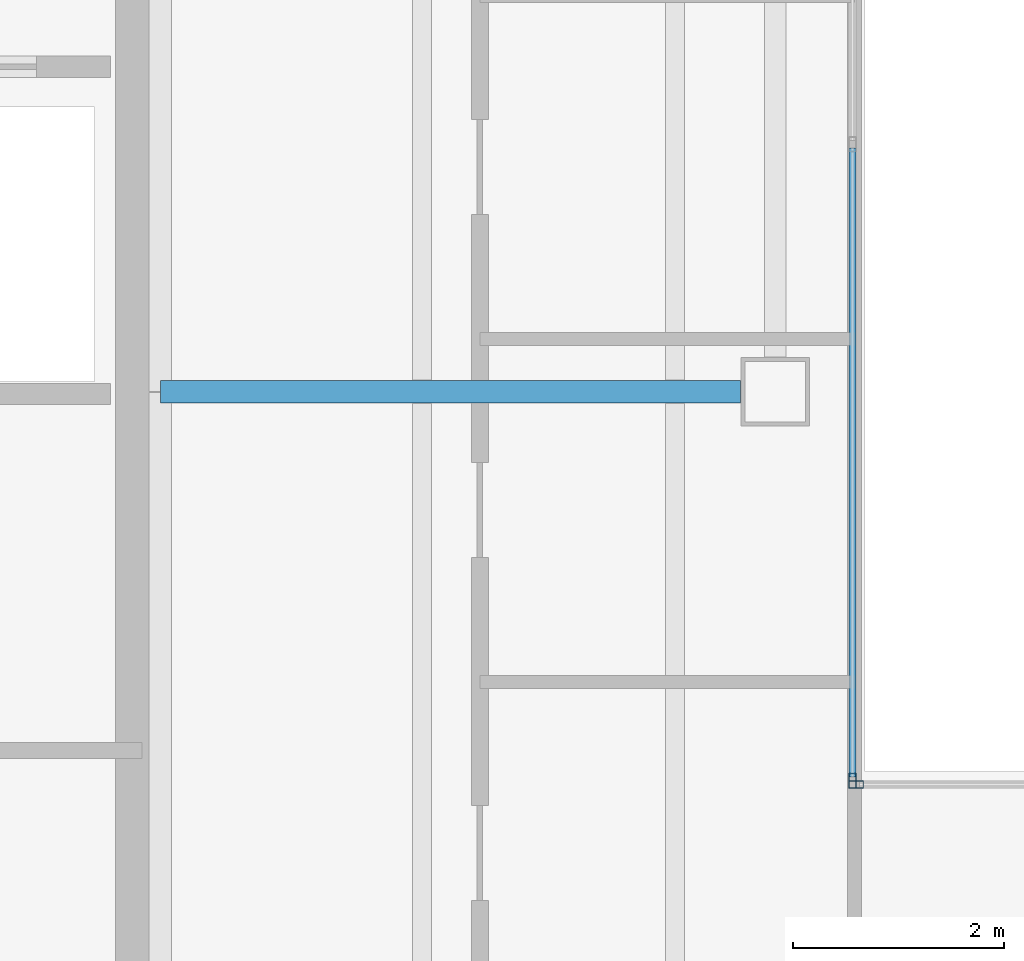
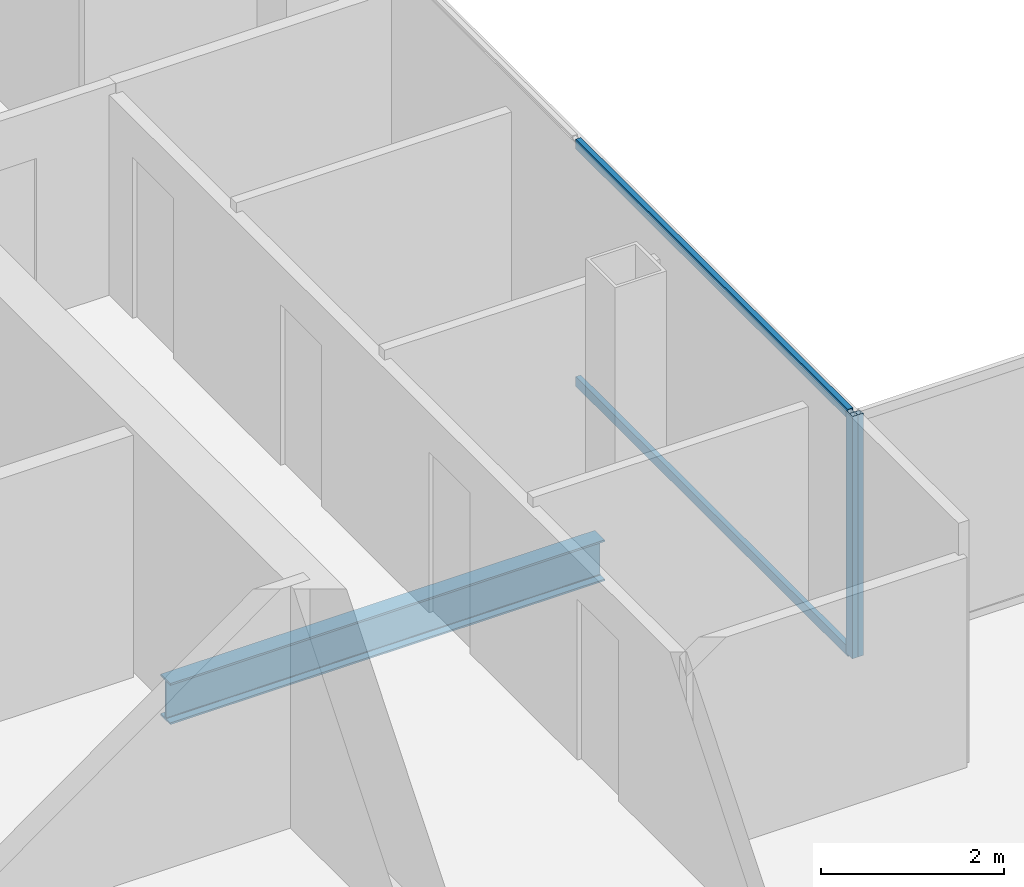
# One storey, part 8 of 23: 4 members, 1 beam, 2 elements without a shape of their own.
"""IFC4 building model written with IfcOpenShell, lengths in metres."""

from ifc_helpers import new_model, si_unit, direction, frame, origin, origin_2d, place, context, subcontext, project, spatial, hollow_rectangle, i_section, extrude, material, material_profile, profile_set, type_object, element, aggregate, save


model = new_model("IFC4")

# Units and contexts
model_context = context("Model", 3, precision=1e-05, world=origin(), true_north=direction((0.0, 1.0)))
body_context = subcontext(model_context, "Body", "Model", "MODEL_VIEW")
ifc_project = project(units=[si_unit("LENGTHUNIT", "METRE"), si_unit("AREAUNIT", "SQUARE_METRE"), si_unit("VOLUMEUNIT", "CUBIC_METRE"), si_unit("PLANEANGLEUNIT", "RADIAN"), si_unit("MASSUNIT", "GRAM", prefix="KILO")], contexts=[model_context])

# Site, building, storey
site_placement = place(None, origin())
site = spatial("IfcSite", under=ifc_project, at=site_placement, CompositionType="ELEMENT")
building_placement = place(site_placement, origin())
building = spatial("IfcBuilding", under=site, at=building_placement, Name="Cobrela Telecom Tower", CompositionType="ELEMENT")
storey_placement = place(building_placement, frame((0.0, 0.0, 283.14990234375)))
storey = spatial("IfcBuildingStorey", under=building, at=storey_placement, Name="L74", CompositionType="ELEMENT", Elevation=283.14990234375)

# Beam
ifc_material_1 = material(Name="Steel ASTM A992 Grade 50", Category="steel")
ifc_material_profile_1 = material_profile(ifc_material_1, i_section(OverallWidth=0.212890625, OverallDepth=0.549072265625, WebThickness=0.0146484375, FlangeThickness=0.023681640625, FilletRadius=0.013916015625, at=origin_2d()), Name="W21X93")
ifc_profile_set_1 = profile_set([ifc_material_profile_1], Name="Steel ASTM A992 Grade 50")
beam_type = type_object("IfcBeamType", Name="BM-GIRD-08", PredefinedType="USERDEFINED", material=ifc_profile_set_1)
beam_placement = place(storey_placement, frame((14.324951171875, 28.800048828125, -0.534423828125), z_axis=(1.0, 0.0, 0.0), x_axis=(0.0, 1.0, 0.0)))
element("IfcBeam", 1, at=beam_placement, inside=storey, type_object=beam_type, Name="L74 Primary Girder X15", ObjectType="GIRDER", PredefinedType="USERDEFINED", context=body_context, shape_type="SweptSolid", body=[
    extrude(i_section(OverallWidth=0.212890625, OverallDepth=0.549072265625, WebThickness=0.0146484375, FlangeThickness=0.023681640625, FilletRadius=0.013916015625, at=origin_2d()), origin(), (0.0, 0.0, 1.0), 5.4951171875),
])

# Curtain wall, member
ifc_material_2 = material(Name="Anodized Bronze Aluminium 6063-T6", Category="aluminium")
curtain_wall_type = type_object("IfcCurtainWallType", Name="CW-SYS-OFF-HI", PredefinedType="USERDEFINED", material=ifc_material_2)
curtain_wall_1_placement = place(storey_placement, origin())
curtain_wall_1 = element("IfcCurtainWall", 2, at=curtain_wall_1_placement, inside=storey, type_object=curtain_wall_type, Name="L74 Unitised Bronze Curtain Wall 08", ObjectType="UNITISED CURTAIN WALL", PredefinedType="USERDEFINED")
ifc_material_profile_2 = material_profile(ifc_material_2, hollow_rectangle(XDim=0.070068359375, YDim=0.139892578125, WallThickness=0.00390625, at=origin_2d()), Name="ALU 70x140x4")
ifc_profile_set_2 = profile_set([ifc_material_profile_2], Name="Anodized Bronze Aluminium 6063-T6")
member_type_1 = type_object("IfcMemberType", Name="CW-SYS-OFF-HI-MUL", PredefinedType="MULLION", material=ifc_profile_set_2)
member_1_placement = place(storey_placement, frame((20.8798828125, 25.114990234375, 0.0), z_axis=(0.0, 0.0, 1.0), x_axis=(1.0, 0.0, 0.0)))
member_1 = element("IfcMember", 3, at=member_1_placement, type_object=member_type_1, Name="CW-OFF-HI mullion 3", PredefinedType="MULLION", context=body_context, shape_type="SweptSolid", body=[
    extrude(hollow_rectangle(XDim=0.070068359375, YDim=0.139892578125, WallThickness=0.00390625, at=origin_2d()), origin(), (0.0, 0.0, 1.0), 3.239990234375),
])

curtain_wall_2_placement = place(storey_placement, origin())
curtain_wall_2 = element("IfcCurtainWall", 4, at=curtain_wall_2_placement, inside=storey, type_object=curtain_wall_type, Name="L74 Unitised Bronze Curtain Wall 09", ObjectType="UNITISED CURTAIN WALL", PredefinedType="USERDEFINED")
member_2_placement = place(storey_placement, frame((20.9150390625, 25.080078125, 0.0), z_axis=(0.0, 0.0, 1.0), x_axis=(0.0, 1.0, 0.0)))
member_2 = element("IfcMember", 5, at=member_2_placement, type_object=member_type_1, Name="CW-OFF-HI mullion 1", PredefinedType="MULLION", context=body_context, shape_type="SweptSolid", body=[
    extrude(hollow_rectangle(XDim=0.070068359375, YDim=0.139892578125, WallThickness=0.00390625, at=origin_2d()), origin(), (0.0, 0.0, 1.0), 3.239990234375),
])
aggregate(curtain_wall_2, [member_2])

# Member
ifc_material_profile_3 = material_profile(ifc_material_2, hollow_rectangle(XDim=0.06494140625, YDim=0.1298828125, WallThickness=0.00390625, at=origin_2d()), Name="ALU 65x130x4")
ifc_profile_set_3 = profile_set([ifc_material_profile_3], Name="Anodized Bronze Aluminium 6063-T6")
member_type_2 = type_object("IfcMemberType", Name="CW-SYS-OFF-HI-TRN", PredefinedType="USERDEFINED", material=ifc_profile_set_3)
member_3_placement = place(storey_placement, frame((20.8798828125, 31.110107421875, 0.03271484375), z_axis=(0.0, -1.0, 0.0), x_axis=(1.0, 0.0, 0.0)))
member_3 = element("IfcMember", 6, at=member_3_placement, type_object=member_type_2, Name="CW-OFF-HI transom 2.1", ObjectType="TRANSOM", PredefinedType="USERDEFINED", context=body_context, shape_type="SweptSolid", body=[
    extrude(hollow_rectangle(XDim=0.06494140625, YDim=0.1298828125, WallThickness=0.00390625, at=origin_2d()), origin(), (0.0, 0.0, 1.0), 5.960205078125),
])

member_4_placement = place(storey_placement, frame((20.8798828125, 31.110107421875, 3.20751953125), z_axis=(0.0, -1.0, 0.0), x_axis=(1.0, 0.0, 0.0)))
member_4 = element("IfcMember", 7, at=member_4_placement, type_object=member_type_2, Name="CW-OFF-HI transom 2.2", ObjectType="TRANSOM", PredefinedType="USERDEFINED", context=body_context, shape_type="SweptSolid", body=[
    extrude(hollow_rectangle(XDim=0.06494140625, YDim=0.1298828125, WallThickness=0.00390625, at=origin_2d()), origin(), (0.0, 0.0, 1.0), 5.960205078125),
])

aggregate(curtain_wall_1, [member_1, member_3, member_4])

save(model, "model.ifc")
